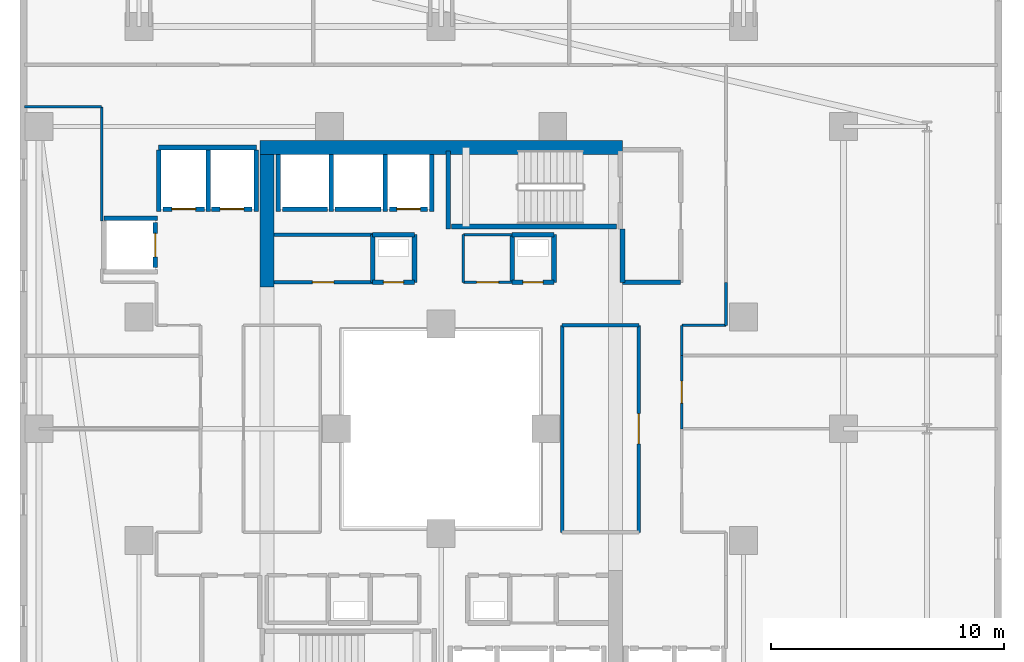
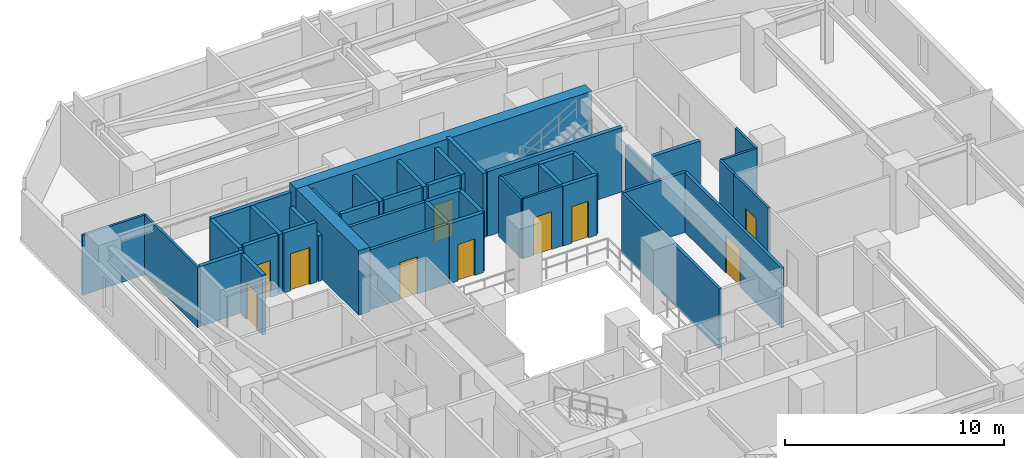
# One storey, part 18 of 31: 43 walls, 10 doors, 10 openings.
"""IFC4 building model written with IfcOpenShell, lengths in metres."""

from ifc_helpers import new_model, si_unit, direction, frame, frame_2d, origin, place, context, subcontext, project, spatial, rectangle, extrude, material, layer, layer_set, type_object, element, fill, save


model = new_model("IFC4")

# Units and contexts
model_context = context("Model", 3, precision=1e-05, world=origin(), true_north=direction((0.0, 1.0)))
body_context = subcontext(model_context, "Body", "Model", "MODEL_VIEW")
ifc_project = project(units=[si_unit("LENGTHUNIT", "METRE"), si_unit("AREAUNIT", "SQUARE_METRE"), si_unit("VOLUMEUNIT", "CUBIC_METRE"), si_unit("PLANEANGLEUNIT", "RADIAN"), si_unit("MASSUNIT", "GRAM", prefix="KILO")], contexts=[model_context])

# Site, building, storey
site_placement = place(None, origin())
site = spatial("IfcSite", under=ifc_project, at=site_placement, CompositionType="ELEMENT")
building_placement = place(site_placement, origin())
building = spatial("IfcBuilding", under=site, at=building_placement, Name="Thornwick Lancets Civic Towers", CompositionType="ELEMENT")
storey_placement = place(building_placement, frame((0.0, 0.0, 90.89990234375)))
storey = spatial("IfcBuildingStorey", under=building, at=storey_placement, Name="L23", CompositionType="ELEMENT", Elevation=90.89990234375)

# Wall, opening, door
ifc_material_1 = material(Name="Concrete blockwork C40/50", Category="masonry")
ifc_layer_1 = layer(ifc_material_1, 0.199951171875, Name="Concrete blockwork C40/50")
ifc_layer_set_1 = layer_set([ifc_layer_1], Name="Concrete blockwork C40/50")
wall_type_1 = type_object("IfcWallType", Name="WALL_COMP_200", PredefinedType="STANDARD", material=ifc_layer_set_1)
wall_1_placement = place(storey_placement, frame((24.919921875, 36.449951171875, 0.0), z_axis=(0.0, 0.0, 1.0), x_axis=(-1.0, 0.0, 0.0)))
wall_1 = element("IfcWall", 1, at=wall_1_placement, inside=storey, type_object=wall_type_1, Name="L23 Hoistway Front Wall FL-A2", PredefinedType="STANDARD", context=body_context, shape_type="SweptSolid", body=[
    extrude(rectangle(XDim=1.639892578125, YDim=0.199951171875, at=frame_2d((0.81982421875, 0.0))), origin(), (0.0, 0.0, 1.0), 3.340087890625),
])
opening_1_placement = place(wall_1_placement, frame((0.31005859375, 0.0, 0.0)))
opening_1 = element("IfcOpeningElement", 2, at=opening_1_placement, cuts=wall_1, Name="Opening LD-FL-A2", PredefinedType="OPENING", context=body_context, shape_type="SweptSolid", body=[
    extrude(rectangle(XDim=1.02001953125, YDim=2.06005859375, at=frame_2d((0.510009765625, 1.030029296875))), frame((0.0, 0.10986328125, 0.0), z_axis=(0.0, -1.0, 0.0), x_axis=(1.0, 0.0, 0.0)), (0.0, 0.0, 1.0), 0.219970703125),
])
ifc_material_2 = material(Name="Brushed bronze stainless steel", Category="steel")
door_type_1 = type_object("IfcDoorType", Name="DOOR_LIFT_SLIDE", OperationType="SLIDING_TO_LEFT", PredefinedType="DOOR", material=ifc_material_2)
door_1_placement = place(opening_1_placement, origin())
door_1 = element("IfcDoor", 3, at=door_1_placement, inside=storey, type_object=door_type_1, Name="L23 Sliding Lift Landing Door LD-FL-A2", OperationType="SLIDING_TO_LEFT", OverallHeight=2.06005859375, OverallWidth=1.02001953125, PredefinedType="DOOR", context=body_context, shape_type="SweptSolid", body=[
    extrude(rectangle(XDim=1.02001953125, YDim=2.06005859375, at=frame_2d((0.510009765625, 1.030029296875))), frame((0.0, 0.02490234375, 0.0), z_axis=(0.0, -1.0, 0.0), x_axis=(1.0, 0.0, 0.0)), (0.0, 0.0, 1.0), 0.050048828125),
])
fill(opening_1, door_1)

# Walls
wall_2_placement = place(storey_placement, frame((22.919921875, 36.449951171875, 0.0), z_axis=(0.0, 0.0, 1.0), x_axis=(-1.0, 0.0, 0.0)))
element("IfcWall", 4, at=wall_2_placement, inside=storey, type_object=wall_type_1, Name="L23 Hoistway Front Wall PL-AH2", PredefinedType="STANDARD", context=body_context, shape_type="SweptSolid", body=[
    extrude(rectangle(XDim=1.989990234375, YDim=0.199951171875, at=frame_2d((0.9951171875, 0.0))), origin(), (0.0, 0.0, 1.0), 3.340087890625),
])
wall_3_placement = place(storey_placement, frame((20.6201171875, 36.449951171875, 0.0), z_axis=(0.0, 0.0, 1.0), x_axis=(-1.0, 0.0, 0.0)))
element("IfcWall", 5, at=wall_3_placement, inside=storey, type_object=wall_type_1, Name="L23 Hoistway Front Wall PL-AH3", PredefinedType="STANDARD", context=body_context, shape_type="SweptSolid", body=[
    extrude(rectangle(XDim=1.940185546875, YDim=0.199951171875, at=frame_2d((0.97021484375, 0.0))), origin(), (0.0, 0.0, 1.0), 3.340087890625),
])

# Wall, opening, door
wall_4_placement = place(storey_placement, frame((17.3701171875, 36.449951171875, 0.0), z_axis=(0.0, 0.0, 1.0), x_axis=(-1.0, 0.0, 0.0)))
wall_4 = element("IfcWall", 6, at=wall_4_placement, inside=storey, type_object=wall_type_1, Name="L23 Hoistway Front Wall PL-AM1", PredefinedType="STANDARD", context=body_context, shape_type="SweptSolid", body=[
    extrude(rectangle(XDim=1.740234375, YDim=0.199951171875, at=frame_2d((0.8701171875, 0.0))), origin(), (0.0, 0.0, 1.0), 3.340087890625),
])
opening_2_placement = place(wall_4_placement, frame((0.360107421875, 0.0, 0.0)))
opening_2 = element("IfcOpeningElement", 7, at=opening_2_placement, cuts=wall_4, Name="Opening LD-PL-AM1", PredefinedType="OPENING", context=body_context, shape_type="SweptSolid", body=[
    extrude(rectangle(XDim=1.02001953125, YDim=2.06005859375, at=frame_2d((0.510009765625, 1.030029296875))), frame((0.0, 0.10986328125, 0.0), z_axis=(0.0, -1.0, 0.0), x_axis=(1.0, 0.0, 0.0)), (0.0, 0.0, 1.0), 0.219970703125),
])
door_2_placement = place(opening_2_placement, origin())
door_2 = element("IfcDoor", 8, at=door_2_placement, inside=storey, type_object=door_type_1, Name="L23 Sliding Lift Landing Door LD-PL-AM1", OperationType="SLIDING_TO_LEFT", OverallHeight=2.06005859375, OverallWidth=1.02001953125, PredefinedType="DOOR", context=body_context, shape_type="SweptSolid", body=[
    extrude(rectangle(XDim=1.02001953125, YDim=2.06005859375, at=frame_2d((0.510009765625, 1.030029296875))), frame((0.0, 0.02490234375, 0.0), z_axis=(0.0, -1.0, 0.0), x_axis=(1.0, 0.0, 0.0)), (0.0, 0.0, 1.0), 0.050048828125),
])
fill(opening_2, door_2)

wall_5_placement = place(storey_placement, frame((15.320068359375, 36.449951171875, 0.0), z_axis=(0.0, 0.0, 1.0), x_axis=(-1.0, 0.0, 0.0)))
wall_5 = element("IfcWall", 9, at=wall_5_placement, inside=storey, type_object=wall_type_1, Name="L23 Hoistway Front Wall PL-AM2", PredefinedType="STANDARD", context=body_context, shape_type="SweptSolid", body=[
    extrude(rectangle(XDim=1.7900390625, YDim=0.199951171875, at=frame_2d((0.89501953125, 0.0))), origin(), (0.0, 0.0, 1.0), 3.340087890625),
])
opening_3_placement = place(wall_5_placement, frame((0.385009765625, 0.0, 0.0)))
opening_3 = element("IfcOpeningElement", 10, at=opening_3_placement, cuts=wall_5, Name="Opening LD-PL-AM2", PredefinedType="OPENING", context=body_context, shape_type="SweptSolid", body=[
    extrude(rectangle(XDim=1.02001953125, YDim=2.06005859375, at=frame_2d((0.510009765625, 1.030029296875))), frame((0.0, 0.10986328125, 0.0), z_axis=(0.0, -1.0, 0.0), x_axis=(1.0, 0.0, 0.0)), (0.0, 0.0, 1.0), 0.219970703125),
])
door_3_placement = place(opening_3_placement, origin())
door_3 = element("IfcDoor", 11, at=door_3_placement, inside=storey, type_object=door_type_1, Name="L23 Sliding Lift Landing Door LD-PL-AM2", OperationType="SLIDING_TO_LEFT", OverallHeight=2.06005859375, OverallWidth=1.02001953125, PredefinedType="DOOR", context=body_context, shape_type="SweptSolid", body=[
    extrude(rectangle(XDim=1.02001953125, YDim=2.06005859375, at=frame_2d((0.510009765625, 1.030029296875))), frame((0.0, 0.02490234375, 0.0), z_axis=(0.0, -1.0, 0.0), x_axis=(1.0, 0.0, 0.0)), (0.0, 0.0, 1.0), 0.050048828125),
])
fill(opening_3, door_3)

wall_6_placement = place(storey_placement, frame((13.199951171875, 33.929931640625, 0.0), z_axis=(0.0, 0.0, 1.0), x_axis=(0.0, 1.0, 0.0)))
wall_6 = element("IfcWall", 12, at=wall_6_placement, inside=storey, type_object=wall_type_1, Name="L23 Hoistway Front Wall PL-AM3", PredefinedType="STANDARD", context=body_context, shape_type="SweptSolid", body=[
    extrude(rectangle(XDim=1.940185546875, YDim=0.199951171875, at=frame_2d((0.97021484375, 0.0))), origin(), (0.0, 0.0, 1.0), 3.340087890625),
])
opening_4_placement = place(wall_6_placement, frame((0.4599609375, 0.0, 0.0)))
opening_4 = element("IfcOpeningElement", 13, at=opening_4_placement, cuts=wall_6, Name="Opening LD-PL-AM3", PredefinedType="OPENING", context=body_context, shape_type="SweptSolid", body=[
    extrude(rectangle(XDim=1.02001953125, YDim=2.06005859375, at=frame_2d((0.510009765625, 1.030029296875))), frame((0.0, 0.10986328125, 0.0), z_axis=(0.0, -1.0, 0.0), x_axis=(1.0, 0.0, 0.0)), (0.0, 0.0, 1.0), 0.219970703125),
])
door_4_placement = place(opening_4_placement, origin())
door_4 = element("IfcDoor", 14, at=door_4_placement, inside=storey, type_object=door_type_1, Name="L23 Sliding Lift Landing Door LD-PL-AM3", OperationType="SLIDING_TO_LEFT", OverallHeight=2.06005859375, OverallWidth=1.02001953125, PredefinedType="DOOR", context=body_context, shape_type="SweptSolid", body=[
    extrude(rectangle(XDim=1.02001953125, YDim=2.06005859375, at=frame_2d((0.510009765625, 1.030029296875))), frame((0.0, 0.02490234375, 0.0), z_axis=(0.0, -1.0, 0.0), x_axis=(1.0, 0.0, 0.0)), (0.0, 0.0, 1.0), 0.050048828125),
])
fill(opening_4, door_4)

# Walls
for number, where, z_axis, x_axis, name in (
    (15, (25.10009765625, 36.35205078125, 0.0), (0.0, 0.0, 1.0), (0.0, 1.0, 0.0), "L23 Hoistway Shaft Wall FL-A2 E"),
    (16, (23.10009765625, 36.35205078125, 0.0), (0.0, 0.0, 1.0), (0.0, 1.0, 0.0), "L23 Hoistway Shaft Wall FL-A2 W"),
    (17, (20.77490234375, 36.35205078125, 0.0), (0.0, 0.0, 1.0), (0.0, 1.0, 0.0), "L23 Hoistway Shaft Wall PL-AH2 W"),
    (18, (18.5, 36.35205078125, 0.0), (0.0, 0.0, 1.0), (0.0, 1.0, 0.0), "L23 Hoistway Shaft Wall PL-AH3 W"),
):
    element("IfcWall", number, at=place(storey_placement, frame(where, z_axis=z_axis, x_axis=x_axis)), inside=storey, type_object=wall_type_1, Name=name, PredefinedType="STANDARD", context=body_context, shape_type="SweptSolid", body=[
        extrude(rectangle(XDim=2.43603515625, YDim=0.199951171875, at=frame_2d((1.218017578125, 0.0))), origin(), (0.0, 0.0, 1.0), 3.340087890625),
    ])
wall_7_placement = place(storey_placement, frame((13.35205078125, 39.10009765625, 0.0), z_axis=(0.0, 0.0, 1.0), x_axis=(1.0, 0.0, 0.0)))
element("IfcWall", 19, at=wall_7_placement, inside=storey, type_object=wall_type_1, Name="L23 Hoistway Shaft Wall PL-AM1 N", PredefinedType="STANDARD", context=body_context, shape_type="SweptSolid", body=[
    extrude(rectangle(XDim=4.196044921875, YDim=0.199951171875, at=frame_2d((2.09814453125, 0.0))), origin(), (0.0, 0.0, 1.0), 3.340087890625),
])
wall_8_placement = place(storey_placement, frame((17.550048828125, 36.35205078125, 0.0), z_axis=(0.0, 0.0, 1.0), x_axis=(0.0, 1.0, 0.0)))
element("IfcWall", 20, at=wall_8_placement, inside=storey, type_object=wall_type_1, Name="L23 Hoistway Shaft Wall PL-AM1 E", PredefinedType="STANDARD", context=body_context, shape_type="SweptSolid", body=[
    extrude(rectangle(XDim=2.635986328125, YDim=0.199951171875, at=frame_2d((1.31787109375, 0.0))), origin(), (0.0, 0.0, 1.0), 2.545166015625),
])
for number, where, z_axis, x_axis, name in (
    (21, (15.47509765625, 36.35205078125, 0.0), (0.0, 0.0, 1.0), (0.0, 1.0, 0.0), "L23 Hoistway Shaft Wall PL-AM1 W"),
    (22, (13.35009765625, 36.35205078125, 0.0), (0.0, 0.0, 1.0), (0.0, 1.0, 0.0), "L23 Hoistway Shaft Wall PL-AM2 W"),
):
    element("IfcWall", number, at=place(storey_placement, frame(where, z_axis=z_axis, x_axis=x_axis)), inside=storey, type_object=wall_type_1, Name=name, PredefinedType="STANDARD", context=body_context, shape_type="SweptSolid", body=[
        extrude(rectangle(XDim=2.635986328125, YDim=0.199951171875, at=frame_2d((1.31787109375, 0.0))), origin(), (0.0, 0.0, 1.0), 3.340087890625),
    ])
wall_9_placement = place(storey_placement, frame((11.001953125, 36.050048828125, 0.0), z_axis=(0.0, 0.0, 1.0), x_axis=(1.0, 0.0, 0.0)))
element("IfcWall", 23, at=wall_9_placement, inside=storey, type_object=wall_type_1, Name="L23 Hoistway Shaft Wall PL-AM3 N", PredefinedType="STANDARD", context=body_context, shape_type="SweptSolid", body=[
    extrude(rectangle(XDim=2.296142578125, YDim=0.199951171875, at=frame_2d((1.14794921875, 0.0))), origin(), (0.0, 0.0, 1.0), 3.340087890625),
])
wall_10_placement = place(storey_placement, frame((33.300048828125, 33.300048828125, 0.0), z_axis=(0.0, 0.0, 1.0), x_axis=(1.0, 0.0, 0.0)))
element("IfcWall", 24, at=wall_10_placement, inside=storey, type_object=wall_type_1, Name="L23 Partition L23-A-FFLOB2 E1", PredefinedType="STANDARD", context=body_context, shape_type="SweptSolid", body=[
    extrude(rectangle(XDim=2.5, YDim=0.199951171875, at=frame_2d((1.25, 0.0))), origin(), (0.0, 0.0, 1.0), 3.340087890625),
])
wall_11_placement = place(storey_placement, frame((33.300048828125, 35.60009765625, 0.0), z_axis=(0.0, 0.0, 1.0), x_axis=(0.0, -1.0, 0.0)))
element("IfcWall", 25, at=wall_11_placement, inside=storey, type_object=wall_type_1, Name="L23 Partition L23-A-FFLOB2 E4", PredefinedType="STANDARD", context=body_context, shape_type="SweptSolid", body=[
    extrude(rectangle(XDim=2.300048828125, YDim=0.199951171875, at=frame_2d((1.14990234375, 0.0))), origin(), (0.0, 0.0, 1.0), 2.545166015625),
])

# Wall, opening, door
wall_12_placement = place(storey_placement, frame((22.550048828125, 33.300048828125, 0.0), z_axis=(0.0, 0.0, 1.0), x_axis=(1.0, 0.0, 0.0)))
wall_12 = element("IfcWall", 26, at=wall_12_placement, inside=storey, type_object=wall_type_1, Name="L23 Partition L23-A-DUCT2 E1", PredefinedType="STANDARD", context=body_context, shape_type="SweptSolid", body=[
    extrude(rectangle(XDim=1.800048828125, YDim=0.199951171875, at=frame_2d((0.89990234375, 0.0))), origin(), (0.0, 0.0, 1.0), 3.340087890625),
])
opening_5_placement = place(wall_12_placement, frame((0.4599609375, 0.0, 0.0)))
opening_5 = element("IfcOpeningElement", 27, at=opening_5_placement, cuts=wall_12, Name="Opening D-L23-1061", PredefinedType="OPENING", context=body_context, shape_type="SweptSolid", body=[
    extrude(rectangle(XDim=0.8798828125, YDim=2.0400390625, at=frame_2d((0.43994140625, 1.02001953125))), frame((0.0, 0.10986328125, 0.0), z_axis=(0.0, -1.0, 0.0), x_axis=(1.0, 0.0, 0.0)), (0.0, 0.0, 1.0), 0.219970703125),
])
ifc_material_3 = material(Name="Steel riser access doorset", Category="steel")
door_type_2 = type_object("IfcDoorType", Name="DOOR_RISER_850", OperationType="NOTDEFINED", PredefinedType="DOOR", material=ifc_material_3)
door_5_placement = place(opening_5_placement, origin())
door_5 = element("IfcDoor", 28, at=door_5_placement, inside=storey, type_object=door_type_2, Name="L23 North Service Duct 2 Door", OperationType="SINGLE_SWING_RIGHT", OverallHeight=2.0400390625, OverallWidth=0.8798828125, PredefinedType="DOOR", context=body_context, shape_type="SweptSolid", body=[
    extrude(rectangle(XDim=0.8798828125, YDim=2.0400390625, at=frame_2d((0.43994140625, 1.02001953125))), frame((0.0, 0.02490234375, 0.0), z_axis=(0.0, -1.0, 0.0), x_axis=(1.0, 0.0, 0.0)), (0.0, 0.0, 1.0), 0.050048828125),
])
fill(opening_5, door_5)

# Walls
wall_13_placement = place(storey_placement, frame((24.35009765625, 33.300048828125, 0.0), z_axis=(0.0, 0.0, 1.0), x_axis=(0.0, 1.0, 0.0)))
element("IfcWall", 29, at=wall_13_placement, inside=storey, type_object=wall_type_1, Name="L23 Partition L23-A-DUCT2 E2", PredefinedType="STANDARD", context=body_context, shape_type="SweptSolid", body=[
    extrude(rectangle(XDim=2.050048828125, YDim=0.199951171875, at=frame_2d((1.02490234375, 0.0))), origin(), (0.0, 0.0, 1.0), 3.340087890625),
])
wall_14_placement = place(storey_placement, frame((24.35009765625, 35.35009765625, 0.0), z_axis=(0.0, 0.0, 1.0), x_axis=(-1.0, 0.0, 0.0)))
element("IfcWall", 30, at=wall_14_placement, inside=storey, type_object=wall_type_1, Name="L23 Partition L23-A-DUCT2 E3", PredefinedType="STANDARD", context=body_context, shape_type="SweptSolid", body=[
    extrude(rectangle(XDim=1.800048828125, YDim=0.199951171875, at=frame_2d((0.89990234375, 0.0))), origin(), (0.0, 0.0, 1.0), 3.340087890625),
])
wall_15_placement = place(storey_placement, frame((22.550048828125, 35.35009765625, 0.0), z_axis=(0.0, 0.0, 1.0), x_axis=(0.0, -1.0, 0.0)))
element("IfcWall", 31, at=wall_15_placement, inside=storey, type_object=wall_type_1, Name="L23 Partition L23-A-DUCT2 E4", PredefinedType="STANDARD", context=body_context, shape_type="SweptSolid", body=[
    extrude(rectangle(XDim=2.050048828125, YDim=0.199951171875, at=frame_2d((1.02490234375, 0.0))), origin(), (0.0, 0.0, 1.0), 3.340087890625),
])

# Wall, opening, door
wall_16_placement = place(storey_placement, frame((28.550048828125, 33.300048828125, 0.0), z_axis=(0.0, 0.0, 1.0), x_axis=(1.0, 0.0, 0.0)))
wall_16 = element("IfcWall", 32, at=wall_16_placement, inside=storey, type_object=wall_type_1, Name="L23 Partition L23-A-RISER2 E1", PredefinedType="STANDARD", context=body_context, shape_type="SweptSolid", body=[
    extrude(rectangle(XDim=1.800048828125, YDim=0.199951171875, at=frame_2d((0.89990234375, 0.0))), origin(), (0.0, 0.0, 1.0), 3.340087890625),
])
opening_6_placement = place(wall_16_placement, frame((0.4599609375, 0.0, 0.0)))
opening_6 = element("IfcOpeningElement", 33, at=opening_6_placement, cuts=wall_16, Name="Opening D-L23-1062", PredefinedType="OPENING", context=body_context, shape_type="SweptSolid", body=[
    extrude(rectangle(XDim=0.8798828125, YDim=2.0400390625, at=frame_2d((0.43994140625, 1.02001953125))), frame((0.0, 0.10986328125, 0.0), z_axis=(0.0, -1.0, 0.0), x_axis=(1.0, 0.0, 0.0)), (0.0, 0.0, 1.0), 0.219970703125),
])
door_6_placement = place(opening_6_placement, origin())
door_6 = element("IfcDoor", 34, at=door_6_placement, inside=storey, type_object=door_type_2, Name="L23 North Service Riser 2 Door", OperationType="SINGLE_SWING_LEFT", OverallHeight=2.0400390625, OverallWidth=0.8798828125, PredefinedType="DOOR", context=body_context, shape_type="SweptSolid", body=[
    extrude(rectangle(XDim=0.8798828125, YDim=2.0400390625, at=frame_2d((0.43994140625, 1.02001953125))), frame((0.0, 0.02490234375, 0.0), z_axis=(0.0, -1.0, 0.0), x_axis=(1.0, 0.0, 0.0)), (0.0, 0.0, 1.0), 0.050048828125),
])
fill(opening_6, door_6)

# Walls
wall_17_placement = place(storey_placement, frame((30.35009765625, 33.300048828125, 0.0), z_axis=(0.0, 0.0, 1.0), x_axis=(0.0, 1.0, 0.0)))
element("IfcWall", 35, at=wall_17_placement, inside=storey, type_object=wall_type_1, Name="L23 Partition L23-A-RISER2 E2", PredefinedType="STANDARD", context=body_context, shape_type="SweptSolid", body=[
    extrude(rectangle(XDim=2.050048828125, YDim=0.199951171875, at=frame_2d((1.02490234375, 0.0))), origin(), (0.0, 0.0, 1.0), 3.340087890625),
])
wall_18_placement = place(storey_placement, frame((30.35009765625, 35.35009765625, 0.0), z_axis=(0.0, 0.0, 1.0), x_axis=(-1.0, 0.0, 0.0)))
element("IfcWall", 36, at=wall_18_placement, inside=storey, type_object=wall_type_1, Name="L23 Partition L23-A-RISER2 E3", PredefinedType="STANDARD", context=body_context, shape_type="SweptSolid", body=[
    extrude(rectangle(XDim=1.800048828125, YDim=0.199951171875, at=frame_2d((0.89990234375, 0.0))), origin(), (0.0, 0.0, 1.0), 3.340087890625),
])
wall_19_placement = place(storey_placement, frame((28.550048828125, 35.35009765625, 0.0), z_axis=(0.0, 0.0, 1.0), x_axis=(0.0, -1.0, 0.0)))
element("IfcWall", 37, at=wall_19_placement, inside=storey, type_object=wall_type_1, Name="L23 Partition L23-A-RISER2 E4", PredefinedType="STANDARD", context=body_context, shape_type="SweptSolid", body=[
    extrude(rectangle(XDim=2.050048828125, YDim=0.199951171875, at=frame_2d((1.02490234375, 0.0))), origin(), (0.0, 0.0, 1.0), 3.340087890625),
])
ifc_material_4 = material(Name="Concrete C60/75", Category="concrete")
ifc_layer_2 = layer(ifc_material_4, 0.60009765625, Name="Concrete C60/75")
ifc_layer_set_2 = layer_set([ifc_layer_2], Name="Concrete C60/75")
wall_type_2 = type_object("IfcWallType", Name="WALL_CORE_600", PredefinedType="SHEAR", material=ifc_layer_set_2)
wall_20_placement = place(storey_placement, frame((17.699951171875, 39.10009765625, 0.0), z_axis=(0.0, 0.0, 1.0), x_axis=(1.0, 0.0, 0.0)))
element("IfcWall", 38, at=wall_20_placement, inside=storey, type_object=wall_type_2, Name="L23 Split Core A2 Shear Wall N", PredefinedType="SHEAR", context=body_context, shape_type="SweptSolid", body=[
    extrude(rectangle(XDim=15.60009765625, YDim=0.60009765625, at=frame_2d((7.800048828125, 0.0))), origin(), (0.0, 0.0, 1.0), 3.60009765625),
])
wall_21_placement = place(storey_placement, frame((18.0, 33.10009765625, 0.0), z_axis=(0.0, 0.0, 1.0), x_axis=(0.0, 1.0, 0.0)))
element("IfcWall", 39, at=wall_21_placement, inside=storey, type_object=wall_type_2, Name="L23 Split Core A2 Shear Wall W", PredefinedType="SHEAR", context=body_context, shape_type="SweptSolid", body=[
    extrude(rectangle(XDim=5.699951171875, YDim=0.60009765625, at=frame_2d((2.85009765625, 0.0))), origin(), (0.0, 0.0, 1.0), 3.60009765625),
])
ifc_material_5 = material(Name="Acoustic gypsum board partition")
ifc_layer_3 = layer(ifc_material_5, 0.1201171875, Name="Acoustic gypsum board partition")
ifc_layer_set_3 = layer_set([ifc_layer_3], Name="Acoustic gypsum board partition")
wall_type_3 = type_object("IfcWallType", Name="WALL_PART_120", PredefinedType="PARTITIONING", material=ifc_layer_set_3)
wall_22_placement = place(storey_placement, frame((26.449951171875, 33.300048828125, 0.0), z_axis=(0.0, 0.0, 1.0), x_axis=(0.0, 1.0, 0.0)))
element("IfcWall", 40, at=wall_22_placement, inside=storey, type_object=wall_type_3, Name="L23 Partition L23-A-ITR E1", PredefinedType="PARTITIONING", context=body_context, shape_type="SweptSolid", body=[
    extrude(rectangle(XDim=2.050048828125, YDim=0.1201171875, at=frame_2d((1.02490234375, 0.0))), origin(), (0.0, 0.0, 1.0), 3.340087890625),
])
wall_23_placement = place(storey_placement, frame((26.449951171875, 35.35009765625, 0.0), z_axis=(0.0, 0.0, 1.0), x_axis=(1.0, 0.0, 0.0)))
element("IfcWall", 41, at=wall_23_placement, inside=storey, type_object=wall_type_3, Name="L23 Partition L23-A-ITR E2", PredefinedType="PARTITIONING", context=body_context, shape_type="SweptSolid", body=[
    extrude(rectangle(XDim=2.10009765625, YDim=0.1201171875, at=frame_2d((1.050048828125, 0.0))), origin(), (0.0, 0.0, 1.0), 3.340087890625),
])

# Wall, opening, door
wall_24_placement = place(storey_placement, frame((28.550048828125, 33.300048828125, 0.0), z_axis=(0.0, 0.0, 1.0), x_axis=(-1.0, 0.0, 0.0)))
wall_24 = element("IfcWall", 42, at=wall_24_placement, inside=storey, type_object=wall_type_3, Name="L23 Partition L23-A-ITR E4", PredefinedType="PARTITIONING", context=body_context, shape_type="SweptSolid", body=[
    extrude(rectangle(XDim=2.10009765625, YDim=0.1201171875, at=frame_2d((1.050048828125, 0.0))), origin(), (0.0, 0.0, 1.0), 3.340087890625),
])
opening_7_placement = place(wall_24_placement, frame((0.574951171875, 0.0, 0.0)))
opening_7 = element("IfcOpeningElement", 43, at=opening_7_placement, cuts=wall_24, Name="Opening D-L23-1068", PredefinedType="OPENING", context=body_context, shape_type="SweptSolid", body=[
    extrude(rectangle(XDim=0.949951171875, YDim=2.10009765625, at=frame_2d((0.47509765625, 1.050048828125))), frame((0.0, 0.070068359375, 0.0), z_axis=(0.0, -1.0, 0.0), x_axis=(1.0, 0.0, 0.0)), (0.0, 0.0, 1.0), 0.14013671875),
])
ifc_material_6 = material(Name="European oak acoustic doorset")
door_type_3 = type_object("IfcDoorType", Name="DOOR_OFFICE_950", OperationType="NOTDEFINED", PredefinedType="DOOR", material=ifc_material_6)
door_7_placement = place(opening_7_placement, origin())
door_7 = element("IfcDoor", 44, at=door_7_placement, inside=storey, type_object=door_type_3, Name="L23 Tower A Comms Patch Room Door", OperationType="SINGLE_SWING_LEFT", OverallHeight=2.10009765625, OverallWidth=0.949951171875, PredefinedType="DOOR", context=body_context, shape_type="SweptSolid", body=[
    extrude(rectangle(XDim=0.949951171875, YDim=2.10009765625, at=frame_2d((0.47509765625, 1.050048828125))), frame((0.0, 0.02490234375, 0.0), z_axis=(0.0, -1.0, 0.0), x_axis=(1.0, 0.0, 0.0)), (0.0, 0.0, 1.0), 0.050048828125),
])
fill(opening_7, door_7)

# Walls
wall_25_placement = place(storey_placement, frame((7.580078125, 40.85009765625, 0.0), z_axis=(0.0, 0.0, 1.0), x_axis=(1.0, 0.0, 0.0)))
element("IfcWall", 45, at=wall_25_placement, inside=storey, type_object=wall_type_3, Name="L23 Partition L23-A-W3 E12", PredefinedType="PARTITIONING", context=body_context, shape_type="SweptSolid", body=[
    extrude(rectangle(XDim=3.31982421875, YDim=0.1201171875, at=frame_2d((1.659912109375, 0.0))), origin(), (0.0, 0.0, 1.0), 3.340087890625),
])
wall_26_placement = place(storey_placement, frame((10.89990234375, 40.85009765625, 0.0), z_axis=(0.0, 0.0, 1.0), x_axis=(0.0, -1.0, 0.0)))
element("IfcWall", 46, at=wall_26_placement, inside=storey, type_object=wall_type_3, Name="L23 Partition L23-A-W3 E13", PredefinedType="PARTITIONING", context=body_context, shape_type="SweptSolid", body=[
    extrude(rectangle(XDim=4.912109375, YDim=0.1201171875, at=frame_2d((2.4560546875, 0.0))), origin(), (0.0, 0.0, 1.0), 3.340087890625),
])

# Wall, opening, door
wall_27_placement = place(storey_placement, frame((35.85009765625, 27.0, 0.0), z_axis=(0.0, 0.0, 1.0), x_axis=(0.0, 1.0, 0.0)))
wall_27 = element("IfcWall", 47, at=wall_27_placement, inside=storey, type_object=wall_type_3, Name="L23 Partition L23-A-E2 E1", PredefinedType="PARTITIONING", context=body_context, shape_type="SweptSolid", body=[
    extrude(rectangle(XDim=3.14990234375, YDim=0.1201171875, at=frame_2d((1.574951171875, 0.0))), origin(), (0.0, 0.0, 1.0), 3.340087890625),
])
opening_8_placement = place(wall_27_placement, frame((1.10009765625, 0.0, 0.0)))
opening_8 = element("IfcOpeningElement", 48, at=opening_8_placement, cuts=wall_27, Name="Opening D-L23-1085", PredefinedType="OPENING", context=body_context, shape_type="SweptSolid", body=[
    extrude(rectangle(XDim=0.949951171875, YDim=2.10009765625, at=frame_2d((0.47509765625, 1.050048828125))), frame((0.0, 0.070068359375, 0.0), z_axis=(0.0, -1.0, 0.0), x_axis=(1.0, 0.0, 0.0)), (0.0, 0.0, 1.0), 0.14013671875),
])
door_8_placement = place(opening_8_placement, origin())
door_8 = element("IfcDoor", 49, at=door_8_placement, inside=storey, type_object=door_type_3, Name="L23 Tower A Visitors Reception and Waiting Door", OperationType="SINGLE_SWING_RIGHT", OverallHeight=2.10009765625, OverallWidth=0.949951171875, PredefinedType="DOOR", context=body_context, shape_type="SweptSolid", body=[
    extrude(rectangle(XDim=0.949951171875, YDim=2.10009765625, at=frame_2d((0.47509765625, 1.050048828125))), frame((0.0, 0.02490234375, 0.0), z_axis=(0.0, -1.0, 0.0), x_axis=(1.0, 0.0, 0.0)), (0.0, 0.0, 1.0), 0.050048828125),
])
fill(opening_8, door_8)

# Walls
wall_28_placement = place(storey_placement, frame((35.85009765625, 31.449951171875, 0.0), z_axis=(0.0, 0.0, 1.0), x_axis=(1.0, 0.0, 0.0)))
element("IfcWall", 50, at=wall_28_placement, inside=storey, type_object=wall_type_3, Name="L23 Partition L23-A-E3 E1", PredefinedType="PARTITIONING", context=body_context, shape_type="SweptSolid", body=[
    extrude(rectangle(XDim=1.89990234375, YDim=0.1201171875, at=frame_2d((0.949951171875, 0.0))), origin(), (0.0, 0.0, 1.0), 3.340087890625),
])
wall_29_placement = place(storey_placement, frame((37.75, 31.449951171875, 0.0), z_axis=(0.0, 0.0, 1.0), x_axis=(0.0, 1.0, 0.0)))
element("IfcWall", 51, at=wall_29_placement, inside=storey, type_object=wall_type_3, Name="L23 Partition L23-A-E3 E2", PredefinedType="PARTITIONING", context=body_context, shape_type="SweptSolid", body=[
    extrude(rectangle(XDim=1.85009765625, YDim=0.1201171875, at=frame_2d((0.925048828125, 0.0))), origin(), (0.0, 0.0, 1.0), 3.340087890625),
])
wall_30_placement = place(storey_placement, frame((35.85009765625, 30.14990234375, 0.0), z_axis=(0.0, 0.0, 1.0), x_axis=(0.0, 1.0, 0.0)))
element("IfcWall", 52, at=wall_30_placement, inside=storey, type_object=wall_type_3, Name="L23 Partition L23-A-E3 E7", PredefinedType="PARTITIONING", context=body_context, shape_type="SweptSolid", body=[
    extrude(rectangle(XDim=1.300048828125, YDim=0.1201171875, at=frame_2d((0.64990234375, 0.0))), origin(), (0.0, 0.0, 1.0), 3.340087890625),
])
ifc_material_7 = material(Name="Twin-stud acoustic gypsum board")
ifc_layer_4 = layer(ifc_material_7, 0.14990234375, Name="Twin-stud acoustic gypsum board")
ifc_layer_set_4 = layer_set([ifc_layer_4], Name="Twin-stud acoustic gypsum board")
wall_type_4 = type_object("IfcWallType", Name="WALL_PART_150", PredefinedType="PARTITIONING", material=ifc_layer_set_4)
wall_31_placement = place(storey_placement, frame((18.300048828125, 35.35009765625, 0.0), z_axis=(0.0, 0.0, 1.0), x_axis=(1.0, 0.0, 0.0)))
element("IfcWall", 53, at=wall_31_placement, inside=storey, type_object=wall_type_4, Name="L23 Partition L23-A-FWC E2", PredefinedType="PARTITIONING", context=body_context, shape_type="SweptSolid", body=[
    extrude(rectangle(XDim=4.25, YDim=0.14990234375, at=frame_2d((2.125, 0.0))), origin(), (0.0, 0.0, 1.0), 3.340087890625),
])

# Wall, opening, door
wall_32_placement = place(storey_placement, frame((22.550048828125, 33.300048828125, 0.0), z_axis=(0.0, 0.0, 1.0), x_axis=(-1.0, 0.0, 0.0)))
wall_32 = element("IfcWall", 54, at=wall_32_placement, inside=storey, type_object=wall_type_4, Name="L23 Partition L23-A-FWC E4", PredefinedType="PARTITIONING", context=body_context, shape_type="SweptSolid", body=[
    extrude(rectangle(XDim=4.25, YDim=0.14990234375, at=frame_2d((2.125, 0.0))), origin(), (0.0, 0.0, 1.0), 3.340087890625),
])
opening_9_placement = place(wall_32_placement, frame((1.6650390625, 0.0, 0.0)))
opening_9 = element("IfcOpeningElement", 55, at=opening_9_placement, cuts=wall_32, Name="Opening D-L23-1067", PredefinedType="OPENING", context=body_context, shape_type="SweptSolid", body=[
    extrude(rectangle(XDim=0.919921875, YDim=2.080078125, at=frame_2d((0.4599609375, 1.0400390625))), frame((0.0, 0.0849609375, 0.0), z_axis=(0.0, -1.0, 0.0), x_axis=(1.0, 0.0, 0.0)), (0.0, 0.0, 1.0), 0.169921875),
])
ifc_material_8 = material(Name="Moisture-resistant oak doorset")
door_type_4 = type_object("IfcDoorType", Name="DOOR_WC_900", OperationType="NOTDEFINED", PredefinedType="DOOR", material=ifc_material_8)
door_9_placement = place(opening_9_placement, origin())
door_9 = element("IfcDoor", 56, at=door_9_placement, inside=storey, type_object=door_type_4, Name="L23 Tower A Female WC Door", OperationType="SINGLE_SWING_RIGHT", OverallHeight=2.080078125, OverallWidth=0.919921875, PredefinedType="DOOR", context=body_context, shape_type="SweptSolid", body=[
    extrude(rectangle(XDim=0.919921875, YDim=2.080078125, at=frame_2d((0.4599609375, 1.0400390625))), frame((0.0, 0.02490234375, 0.0), z_axis=(0.0, -1.0, 0.0), x_axis=(1.0, 0.0, 0.0)), (0.0, 0.0, 1.0), 0.050048828125),
])
fill(opening_9, door_9)

# Walls
wall_33_placement = place(storey_placement, frame((30.699951171875, 22.550048828125, 0.0), z_axis=(0.0, 0.0, 1.0), x_axis=(0.0, 1.0, 0.0)))
element("IfcWall", 57, at=wall_33_placement, inside=storey, type_object=wall_type_4, Name="L23 Partition L23-A-ATR-E E1", PredefinedType="PARTITIONING", context=body_context, shape_type="SweptSolid", body=[
    extrude(rectangle(XDim=8.89990234375, YDim=0.14990234375, at=frame_2d((4.449951171875, 0.0))), origin(), (0.0, 0.0, 1.0), 3.340087890625),
])
wall_34_placement = place(storey_placement, frame((30.699951171875, 31.449951171875, 0.0), z_axis=(0.0, 0.0, 1.0), x_axis=(1.0, 0.0, 0.0)))
element("IfcWall", 58, at=wall_34_placement, inside=storey, type_object=wall_type_4, Name="L23 Partition L23-A-ATR-E E2", PredefinedType="PARTITIONING", context=body_context, shape_type="SweptSolid", body=[
    extrude(rectangle(XDim=3.300048828125, YDim=0.14990234375, at=frame_2d((1.64990234375, 0.0))), origin(), (0.0, 0.0, 1.0), 3.340087890625),
])

# Wall, opening, door
wall_35_placement = place(storey_placement, frame((34.0, 31.449951171875, 0.0), z_axis=(0.0, 0.0, 1.0), x_axis=(0.0, -1.0, 0.0)))
wall_35 = element("IfcWall", 59, at=wall_35_placement, inside=storey, type_object=wall_type_4, Name="L23 Partition L23-A-ATR-E E3", PredefinedType="PARTITIONING", context=body_context, shape_type="SweptSolid", body=[
    extrude(rectangle(XDim=8.89990234375, YDim=0.14990234375, at=frame_2d((4.449951171875, 0.0))), origin(), (0.0, 0.0, 1.0), 3.340087890625),
])
opening_10_placement = place(wall_35_placement, frame((3.800048828125, 0.0, 0.0)))
opening_10 = element("IfcOpeningElement", 60, at=opening_10_placement, cuts=wall_35, Name="Opening D-L23-1087", PredefinedType="OPENING", context=body_context, shape_type="SweptSolid", body=[
    extrude(rectangle(XDim=1.300048828125, YDim=2.1201171875, at=frame_2d((0.64990234375, 1.06005859375))), frame((0.0, 0.0849609375, 0.0), z_axis=(0.0, -1.0, 0.0), x_axis=(1.0, 0.0, 0.0)), (0.0, 0.0, 1.0), 0.169921875),
])
ifc_material_9 = material(Name="Acoustic oak leaf-and-a-half doorset")
door_type_5 = type_object("IfcDoorType", Name="DOOR_MEET_1300", OperationType="DOUBLE_DOOR_SINGLE_SWING", PredefinedType="DOOR", material=ifc_material_9)
door_10_placement = place(opening_10_placement, origin())
door_10 = element("IfcDoor", 61, at=door_10_placement, inside=storey, type_object=door_type_5, Name="L23 Tower A East Atrium Briefing Suite Door", OperationType="DOUBLE_DOOR_SINGLE_SWING", OverallHeight=2.1201171875, OverallWidth=1.300048828125, PredefinedType="DOOR", context=body_context, shape_type="SweptSolid", body=[
    extrude(rectangle(XDim=1.300048828125, YDim=2.1201171875, at=frame_2d((0.64990234375, 1.06005859375))), frame((0.0, 0.02490234375, 0.0), z_axis=(0.0, -1.0, 0.0), x_axis=(1.0, 0.0, 0.0)), (0.0, 0.0, 1.0), 0.050048828125),
])
fill(opening_10, door_10)

# Walls
ifc_material_10 = material(Name="Concrete C40/50", Category="concrete")
ifc_layer_5 = layer(ifc_material_10, 0.199951171875, Name="Concrete C40/50")
ifc_layer_set_5 = layer_set([ifc_layer_5], Name="Concrete C40/50")
wall_type_5 = type_object("IfcWallType", Name="WALL_SHAFT_200", PredefinedType="SHEAR", material=ifc_layer_set_5)
wall_36_placement = place(storey_placement, frame((25.800048828125, 35.60009765625, 0.0), z_axis=(0.0, 0.0, 1.0), x_axis=(0.0, 1.0, 0.0)))
element("IfcWall", 62, at=wall_36_placement, inside=storey, type_object=wall_type_5, Name="L23 ST-A2 Fire Stair Core Wall FAR", PredefinedType="SHEAR", context=body_context, shape_type="SweptSolid", body=[
    extrude(rectangle(XDim=3.349853515625, YDim=0.199951171875, at=frame_2d((1.6748046875, 0.0))), origin(), (0.0, 0.0, 1.0), 3.60009765625),
])
wall_37_placement = place(storey_placement, frame((25.949951171875, 35.702880859375, 0.0), z_axis=(0.0, 0.0, 1.0), x_axis=(1.0, 0.0, 0.0)))
element("IfcWall", 63, at=wall_37_placement, inside=storey, type_object=wall_type_5, Name="L23 ST-A2 Fire Stair Core Wall RIGHT", PredefinedType="SHEAR", context=body_context, shape_type="SweptSolid", body=[
    extrude(rectangle(XDim=7.10009765625, YDim=0.199951171875, at=frame_2d((3.550048828125, 0.0))), origin(), (0.0, 0.0, 1.0), 3.60009765625),
])

save(model, "model.ifc")
